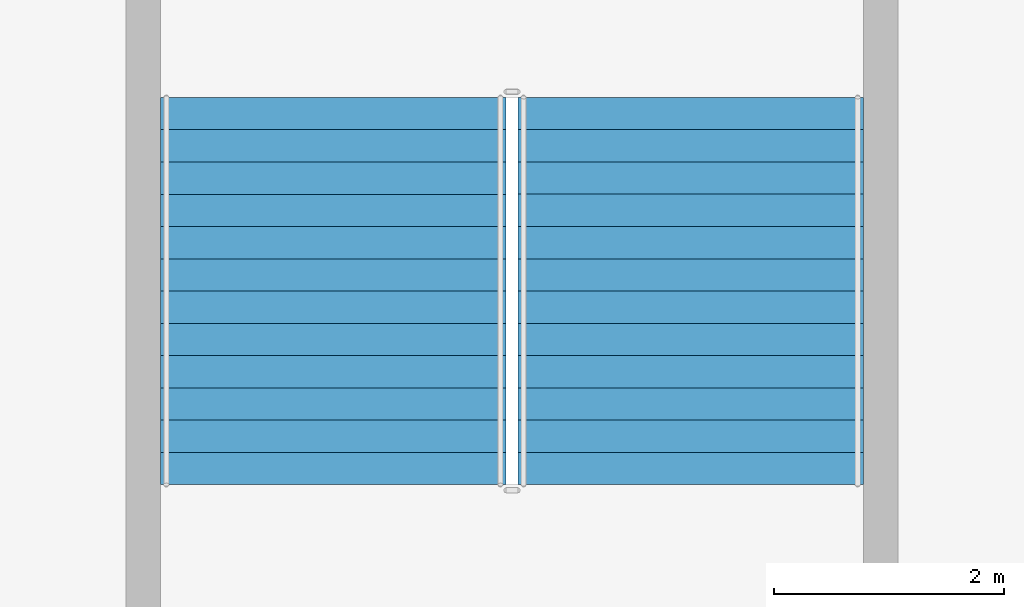
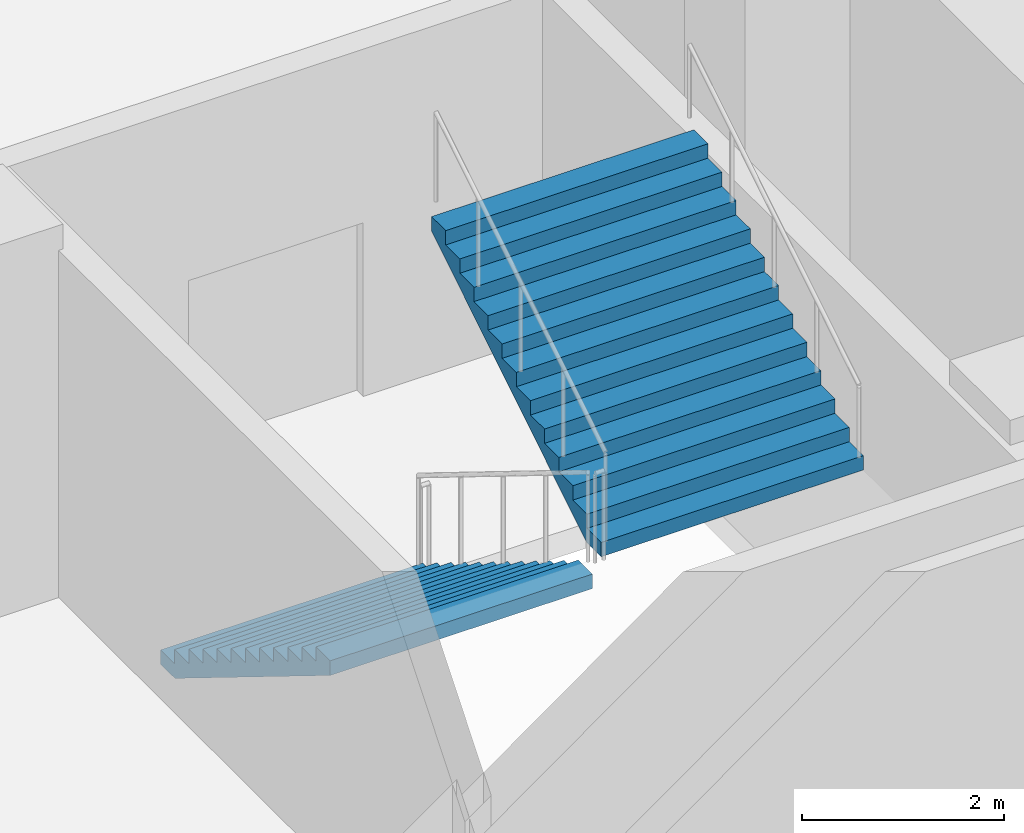
# One storey, part 11 of 14: 2 stair flights, 1 element without a shape of its own.
"""IFC4 building model written with IfcOpenShell, lengths in metres."""

import ifcopenshell
import ifcopenshell.guid

model = None  # the IFC model being written
_history = None  # IfcOwnerHistory: only IFC2X3 demands one
_inside = {}  # id of a spatial element -> (the spatial element, [elements in it])
_under = {}  # id of a project, library or spatial element -> (it, [spatial elements below it])
_declared = {}  # id of a project -> (the project, [libraries it declares])
_typed = {}  # id of a type object -> (the type object, [elements of that type])
_made_of = {}  # id of a material, layer set ... -> (it, [elements and type objects made of it])


def new_model(schema):
    """Start an empty IFC model of exactly this schema.

    Asked for "IFC4X3", IfcOpenShell would pick the latest addendum, in which some entities
    have other attributes; the version numbers below select the first issue.
    IFC2X3 requires an IfcOwnerHistory on every rooted entity: one is made here for all.
    """
    global model, _history
    if schema == "IFC4X3":
        model = ifcopenshell.file(schema_version=(4, 3, 0, 0))
    else:
        model = ifcopenshell.file(schema=schema)
    _inside.clear()
    _under.clear()
    _declared.clear()
    _typed.clear()
    _made_of.clear()
    _history = None
    if model.schema == "IFC2X3":
        org = make("IfcOrganization", Name="unknown")
        user = make(
            "IfcPersonAndOrganization",
            ThePerson=make("IfcPerson", FamilyName="unknown"),
            TheOrganization=org,
        )
        app = make(
            "IfcApplication",
            ApplicationDeveloper=org,
            Version="unknown",
            ApplicationFullName="unknown",
            ApplicationIdentifier="unknown",
        )
        _history = make(
            "IfcOwnerHistory",
            OwningUser=user,
            OwningApplication=app,
            ChangeAction="ADDED",
            CreationDate=0,
        )
    return model


def make(cls, **values):
    """One entity of the class cls with the attributes given. An attribute that is None is left unset."""
    return model.create_entity(
        cls, **{name: value for name, value in values.items() if value is not None}
    )


def rooted(cls, **values):
    """An entity with a GlobalId (a new one), such as an element, a storey or a relation."""
    return make(cls, GlobalId=ifcopenshell.guid.new(), OwnerHistory=_history, **values)


def si_unit(unit_type, name, prefix=None):
    """IfcSIUnit, for example si_unit("LENGTHUNIT", "METRE", prefix="MILLI")."""
    return make("IfcSIUnit", UnitType=unit_type, Prefix=prefix, Name=name)


def assignment(units):
    """IfcUnitAssignment: the units of a project."""
    return None if units is None else make("IfcUnitAssignment", Units=units)


def point(xyz):
    """IfcCartesianPoint."""
    return None if xyz is None else make("IfcCartesianPoint", Coordinates=xyz)


def direction(xyz):
    """IfcDirection."""
    return None if xyz is None else make("IfcDirection", DirectionRatios=xyz)


def frame(location, z_axis=None, x_axis=None):
    """IfcAxis2Placement3D, a coordinate frame: its origin and axes. An axis left out is left unset."""
    return make(
        "IfcAxis2Placement3D",
        Location=point(location),
        Axis=direction(z_axis),
        RefDirection=direction(x_axis),
    )


def origin():
    """The frame at (0, 0, 0) with its axes left unset."""
    return frame((0.0, 0.0, 0.0))


def place(relative_to, where):
    """IfcLocalPlacement: puts the frame where relative to a parent placement (None: the world)."""
    return make(
        "IfcLocalPlacement", PlacementRelTo=relative_to, RelativePlacement=where
    )


def context(
    kind, dimensions, precision=None, world=None, true_north=None, identifier=None
):
    """IfcGeometricRepresentationContext, for example the 3D "Model" context."""
    return make(
        "IfcGeometricRepresentationContext",
        ContextIdentifier=identifier,
        ContextType=kind,
        CoordinateSpaceDimension=dimensions,
        Precision=precision,
        WorldCoordinateSystem=world,
        TrueNorth=true_north,
    )


def subcontext(parent, identifier, kind, view, scale=None):
    """IfcGeometricRepresentationSubContext, for example "Body" below "Model"."""
    return make(
        "IfcGeometricRepresentationSubContext",
        ContextIdentifier=identifier,
        ContextType=kind,
        ParentContext=parent,
        TargetScale=scale,
        TargetView=view,
    )


def project(units=None, contexts=None):
    """IfcProject with its units and contexts."""
    return rooted(
        "IfcProject",
        Name="project",
        RepresentationContexts=contexts,
        UnitsInContext=assignment(units),
    )


def spatial(cls, under=None, at=None, **own):
    """A site, building, storey or space (cls), placed at a placement, below another one or the project."""
    s = rooted(cls, ObjectPlacement=at, **own)
    if under is not None:
        _under.setdefault(under.id(), (under, []))[1].append(s)
    return s


def point_list(points):
    """IfcCartesianPointList2D or 3D."""
    cls = (
        "IfcCartesianPointList2D" if len(points[0]) == 2 else "IfcCartesianPointList3D"
    )
    return make(cls, CoordList=points)


def triangles(points, corners, closed=None, point_numbers=None):
    """IfcTriangulatedFaceSet: each triangle names its three corners, points numbered from 1."""
    return make(
        "IfcTriangulatedFaceSet",
        Coordinates=point_list(points),
        Closed=closed,
        CoordIndex=corners,
        PnIndex=point_numbers,
    )


def shape(context_of_items, identifier, shape_type, items):
    """IfcShapeRepresentation: the items that make up one representation, for example the "Body"."""
    return make(
        "IfcShapeRepresentation",
        ContextOfItems=context_of_items,
        RepresentationIdentifier=identifier,
        RepresentationType=shape_type,
        Items=items,
    )


def source(mapping_origin, context_of_items, identifier, shape_type, items):
    """IfcRepresentationMap: a shape defined once, which mapped items show again and again."""
    return make(
        "IfcRepresentationMap",
        MappingOrigin=mapping_origin,
        MappedRepresentation=shape(context_of_items, identifier, shape_type, items),
    )


def transform(
    local_origin,
    x_axis=None,
    y_axis=None,
    z_axis=None,
    scale=None,
    scale2=None,
    scale3=None,
    uniform=True,
):
    """IfcCartesianTransformationOperator3D, or its non-uniform kind. x_axis, y_axis, z_axis: its Axis1, 2, 3."""
    if uniform:
        return make(
            "IfcCartesianTransformationOperator3D",
            Axis1=direction(x_axis),
            Axis2=direction(y_axis),
            LocalOrigin=point(local_origin),
            Scale=scale,
            Axis3=direction(z_axis),
        )
    return make(
        "IfcCartesianTransformationOperator3DnonUniform",
        Axis1=direction(x_axis),
        Axis2=direction(y_axis),
        LocalOrigin=point(local_origin),
        Scale=scale,
        Axis3=direction(z_axis),
        Scale2=scale2,
        Scale3=scale3,
    )


def mapped(mapping_source, mapping_target):
    """IfcMappedItem: shows the shape of a source again, moved by a transform."""
    return make(
        "IfcMappedItem", MappingSource=mapping_source, MappingTarget=mapping_target
    )


def material(Name=None, Category=None):
    """IfcMaterial."""
    return make("IfcMaterial", Name=Name, Category=Category)


def made_of(thing, what):
    """Note that an element or type object is made of a material, layer set ...; save() writes the relation."""
    if what is not None:
        _made_of.setdefault(what.id(), (what, []))[1].append(thing)
    return thing


def type_object(cls, material=None, **own):
    """A type object (cls), such as IfcWallType, which elements share."""
    return made_of(rooted(cls, **own), material)


def element(
    cls,
    number,
    at=None,
    inside=None,
    cuts=None,
    type_object=None,
    material=None,
    context=None,
    identifier="Body",
    shape_type=None,
    held_by="IfcProductDefinitionShape",
    body=None,
    shapes=None,
    **own,
):
    """One element of the class cls, such as IfcWall. Its Tag is "e" and its number.

    at: its placement. inside: the storey or other place that contains it. cuts: it is an
    opening in that element (IfcRelVoidsElement). A single representation is given by context,
    identifier, shape_type and body (its items); several are given by shapes. held_by: the class
    of the entity that holds the representations. save() writes the other relations.
    """
    e = rooted(cls, Tag="e%d" % number, ObjectPlacement=at, **own)
    if body is not None:
        shapes = [shape(context, identifier, shape_type, body)]
    if shapes is not None:
        e.Representation = make(held_by, Representations=shapes)
    if inside is not None:
        _inside.setdefault(inside.id(), (inside, []))[1].append(e)
    if cuts is not None:
        rooted(
            "IfcRelVoidsElement", RelatingBuildingElement=cuts, RelatedOpeningElement=e
        )
    if type_object is not None:
        _typed.setdefault(type_object.id(), (type_object, []))[1].append(e)
    return made_of(e, material)


def aggregate(whole, parts):
    """IfcRelAggregates: a whole, such as a stair, and the parts it consists of."""
    return rooted("IfcRelAggregates", RelatingObject=whole, RelatedObjects=parts)


def save(model, path):
    """Write the relations noted so far, then the file.

    IfcRelAggregates (storeys below a building ...), IfcRelContainedInSpatialStructure (elements
    in a storey), IfcRelDefinesByType, IfcRelAssociatesMaterial and IfcRelDeclares: one each for
    every whole, place, type object, material and project.
    """
    for whole, parts in _under.values():
        aggregate(whole, parts)
    for where, things in _inside.values():
        rooted(
            "IfcRelContainedInSpatialStructure",
            RelatedElements=things,
            RelatingStructure=where,
        )
    for kind, things in _typed.values():
        rooted("IfcRelDefinesByType", RelatedObjects=things, RelatingType=kind)
    for what, things in _made_of.values():
        rooted("IfcRelAssociatesMaterial", RelatedObjects=things, RelatingMaterial=what)
    for by, libraries in _declared.values():
        rooted("IfcRelDeclares", RelatingContext=by, RelatedDefinitions=libraries)
    model.write(path)


model = new_model("IFC4")

# Units and contexts
model_context = context("Model", 3, precision=1e-05, world=origin(), true_north=direction((0.0, 1.0)))
body_context = subcontext(model_context, "Body", "Model", "MODEL_VIEW")
ifc_project = project(units=[si_unit("LENGTHUNIT", "METRE"), si_unit("AREAUNIT", "SQUARE_METRE"), si_unit("VOLUMEUNIT", "CUBIC_METRE"), si_unit("PLANEANGLEUNIT", "RADIAN"), si_unit("MASSUNIT", "GRAM", prefix="KILO")], contexts=[model_context])

# Site, building, storey
site_placement = place(None, origin())
site = spatial("IfcSite", under=ifc_project, at=site_placement, CompositionType="ELEMENT")
building_placement = place(site_placement, origin())
building = spatial("IfcBuilding", under=site, at=building_placement, Name="Ogive Portal Towers", CompositionType="ELEMENT")
storey_placement = place(building_placement, frame((0.0, 0.0, -4.5)))
storey = spatial("IfcBuildingStorey", under=building, at=storey_placement, Name="B1", CompositionType="ELEMENT", Elevation=-4.5)

# Stair, stair flights
ifc_material = material(Name="Concrete C40/50", Category="concrete")
stair_type = type_object("IfcStairType", Name="INT-STAIR", PredefinedType="HALF_TURN_STAIR", material=ifc_material)
stair_placement = place(storey_placement, origin())
stair = element("IfcStair", 1, at=stair_placement, inside=storey, type_object=stair_type, Name="B1 Exit Stair ST-S2", PredefinedType="HALF_TURN_STAIR")
stair_flight_type = type_object("IfcStairFlightType", Name="INT-FLIGHT", PredefinedType="STRAIGHT", material=ifc_material)
shared_shape = source(origin(), body_context, "Body", "Tessellation", [
    triangles([(0.0, -1.5, 0.0), (0.0, -0.8681640625, 0.0), (0.0, -0.4443359375, 0.0), (0.0, -0.1875, 0.0), (0.0, -0.0556640625, 0.0), (0.0, -0.0068359375, 0.0), (0.0, 0.0, 0.0), (0.0, 0.0068359375, 0.0), (0.0, 0.0556640625, 0.0), (0.0, 0.1875, 0.0), (0.0, 0.4443359375, 0.0), (0.0, 0.8681640625, 0.0), (0.0, 1.5, 0.0), (0.0, -1.5, 0.173095703125), (0.0, -0.8681640625, 0.173095703125), (0.0, -0.4443359375, 0.173095703125), (0.0, -0.1875, 0.173095703125), (0.0, -0.0556640625, 0.173095703125), (0.0, -0.0068359375, 0.173095703125), (0.0, 0.0, 0.173095703125), (0.0, 0.0068359375, 0.173095703125), (0.0, 0.0556640625, 0.173095703125), (0.0, 0.1875, 0.173095703125), (0.0, 0.4443359375, 0.173095703125), (0.0, 0.8681640625, 0.173095703125), (0.0, 1.5, 0.173095703125), (0.280029296875, -1.5, 0.173095703125), (0.280029296875, -0.8681640625, 0.173095703125), (0.280029296875, -0.4443359375, 0.173095703125), (0.280029296875, -0.1875, 0.173095703125), (0.280029296875, -0.0556640625, 0.173095703125), (0.280029296875, -0.0068359375, 0.173095703125), (0.280029296875, 0.0, 0.173095703125), (0.280029296875, 0.0068359375, 0.173095703125), (0.280029296875, 0.0556640625, 0.173095703125), (0.280029296875, 0.1875, 0.173095703125), (0.280029296875, 0.4443359375, 0.173095703125), (0.280029296875, 0.8681640625, 0.173095703125), (0.280029296875, 1.5, 0.173095703125), (0.280029296875, -1.5, 0.34619140625), (0.280029296875, -0.8681640625, 0.34619140625), (0.280029296875, -0.4443359375, 0.34619140625), (0.280029296875, -0.1875, 0.34619140625), (0.280029296875, -0.0556640625, 0.34619140625), (0.280029296875, -0.0068359375, 0.34619140625), (0.280029296875, 0.0, 0.34619140625), (0.280029296875, 0.0068359375, 0.34619140625), (0.280029296875, 0.0556640625, 0.34619140625), (0.280029296875, 0.1875, 0.34619140625), (0.280029296875, 0.4443359375, 0.34619140625), (0.280029296875, 0.8681640625, 0.34619140625), (0.280029296875, 1.5, 0.34619140625), (0.56005859375, -1.5, 0.34619140625), (0.56005859375, -0.8681640625, 0.34619140625), (0.56005859375, -0.4443359375, 0.34619140625), (0.56005859375, -0.1875, 0.34619140625), (0.56005859375, -0.0556640625, 0.34619140625), (0.56005859375, -0.0068359375, 0.34619140625), (0.56005859375, 0.0, 0.34619140625), (0.56005859375, 0.0068359375, 0.34619140625), (0.56005859375, 0.0556640625, 0.34619140625), (0.56005859375, 0.1875, 0.34619140625), (0.56005859375, 0.4443359375, 0.34619140625), (0.56005859375, 0.8681640625, 0.34619140625), (0.56005859375, 1.5, 0.34619140625), (0.56005859375, -1.5, 0.519287109375), (0.56005859375, -0.8681640625, 0.519287109375), (0.56005859375, -0.4443359375, 0.519287109375), (0.56005859375, -0.1875, 0.519287109375), (0.56005859375, -0.0556640625, 0.519287109375), (0.56005859375, -0.0068359375, 0.519287109375), (0.56005859375, 0.0, 0.519287109375), (0.56005859375, 0.0068359375, 0.519287109375), (0.56005859375, 0.0556640625, 0.519287109375), (0.56005859375, 0.1875, 0.519287109375), (0.56005859375, 0.4443359375, 0.519287109375), (0.56005859375, 0.8681640625, 0.519287109375), (0.56005859375, 1.5, 0.519287109375), (0.840087890625, -1.5, 0.519287109375), (0.840087890625, -0.8681640625, 0.519287109375), (0.840087890625, -0.4443359375, 0.519287109375), (0.840087890625, -0.1875, 0.519287109375), (0.840087890625, -0.0556640625, 0.519287109375), (0.840087890625, -0.0068359375, 0.519287109375), (0.840087890625, 0.0, 0.519287109375), (0.840087890625, 0.0068359375, 0.519287109375), (0.840087890625, 0.0556640625, 0.519287109375), (0.840087890625, 0.1875, 0.519287109375), (0.840087890625, 0.4443359375, 0.519287109375), (0.840087890625, 0.8681640625, 0.519287109375), (0.840087890625, 1.5, 0.519287109375), (0.840087890625, -1.5, 0.6923828125), (0.840087890625, -0.8681640625, 0.6923828125), (0.840087890625, -0.4443359375, 0.6923828125), (0.840087890625, -0.1875, 0.6923828125), (0.840087890625, -0.0556640625, 0.6923828125), (0.840087890625, -0.0068359375, 0.6923828125), (0.840087890625, 0.0, 0.6923828125), (0.840087890625, 0.0068359375, 0.6923828125), (0.840087890625, 0.0556640625, 0.6923828125), (0.840087890625, 0.1875, 0.6923828125), (0.840087890625, 0.4443359375, 0.6923828125), (0.840087890625, 0.8681640625, 0.6923828125), (0.840087890625, 1.5, 0.6923828125), (1.1201171875, -1.5, 0.6923828125), (1.1201171875, -0.8681640625, 0.6923828125), (1.1201171875, -0.4443359375, 0.6923828125), (1.1201171875, -0.1875, 0.6923828125), (1.1201171875, -0.0556640625, 0.6923828125), (1.1201171875, -0.0068359375, 0.6923828125), (1.1201171875, 0.0, 0.6923828125), (1.1201171875, 0.0068359375, 0.6923828125), (1.1201171875, 0.0556640625, 0.6923828125), (1.1201171875, 0.1875, 0.6923828125), (1.1201171875, 0.4443359375, 0.6923828125), (1.1201171875, 0.8681640625, 0.6923828125), (1.1201171875, 1.5, 0.6923828125), (1.1201171875, -1.5, 0.865478515625), (1.1201171875, -0.8681640625, 0.865478515625), (1.1201171875, -0.4443359375, 0.865478515625), (1.1201171875, -0.1875, 0.865478515625), (1.1201171875, -0.0556640625, 0.865478515625), (1.1201171875, -0.0068359375, 0.865478515625), (1.1201171875, 0.0, 0.865478515625), (1.1201171875, 0.0068359375, 0.865478515625), (1.1201171875, 0.0556640625, 0.865478515625), (1.1201171875, 0.1875, 0.865478515625), (1.1201171875, 0.4443359375, 0.865478515625), (1.1201171875, 0.8681640625, 0.865478515625), (1.1201171875, 1.5, 0.865478515625), (1.39990234375, -1.5, 0.865478515625), (1.39990234375, -0.8681640625, 0.865478515625), (1.39990234375, -0.4443359375, 0.865478515625), (1.39990234375, -0.1875, 0.865478515625), (1.39990234375, -0.0556640625, 0.865478515625), (1.39990234375, -0.0068359375, 0.865478515625), (1.39990234375, 0.0, 0.865478515625), (1.39990234375, 0.0068359375, 0.865478515625), (1.39990234375, 0.0556640625, 0.865478515625), (1.39990234375, 0.1875, 0.865478515625), (1.39990234375, 0.4443359375, 0.865478515625), (1.39990234375, 0.8681640625, 0.865478515625), (1.39990234375, 1.5, 0.865478515625), (1.39990234375, -1.5, 1.03857421875), (1.39990234375, -0.8681640625, 1.03857421875), (1.39990234375, -0.4443359375, 1.03857421875), (1.39990234375, -0.1875, 1.03857421875), (1.39990234375, -0.0556640625, 1.03857421875), (1.39990234375, -0.0068359375, 1.03857421875), (1.39990234375, 0.0, 1.03857421875), (1.39990234375, 0.0068359375, 1.03857421875), (1.39990234375, 0.0556640625, 1.03857421875), (1.39990234375, 0.1875, 1.03857421875), (1.39990234375, 0.4443359375, 1.03857421875), (1.39990234375, 0.8681640625, 1.03857421875), (1.39990234375, 1.5, 1.03857421875), (1.679931640625, -1.5, 1.03857421875), (1.679931640625, -0.8681640625, 1.03857421875), (1.679931640625, -0.4443359375, 1.03857421875), (1.679931640625, -0.1875, 1.03857421875), (1.679931640625, -0.0556640625, 1.03857421875), (1.679931640625, -0.0068359375, 1.03857421875), (1.679931640625, 0.0, 1.03857421875), (1.679931640625, 0.0068359375, 1.03857421875), (1.679931640625, 0.0556640625, 1.03857421875), (1.679931640625, 0.1875, 1.03857421875), (1.679931640625, 0.4443359375, 1.03857421875), (1.679931640625, 0.8681640625, 1.03857421875), (1.679931640625, 1.5, 1.03857421875), (1.679931640625, -1.5, 1.21142578125), (1.679931640625, -0.8681640625, 1.21142578125), (1.679931640625, -0.4443359375, 1.21142578125), (1.679931640625, -0.1875, 1.21142578125), (1.679931640625, -0.0556640625, 1.21142578125), (1.679931640625, -0.0068359375, 1.21142578125), (1.679931640625, 0.0, 1.21142578125), (1.679931640625, 0.0068359375, 1.21142578125), (1.679931640625, 0.0556640625, 1.21142578125), (1.679931640625, 0.1875, 1.21142578125), (1.679931640625, 0.4443359375, 1.21142578125), (1.679931640625, 0.8681640625, 1.21142578125), (1.679931640625, 1.5, 1.21142578125), (1.9599609375, -1.5, 1.21142578125), (1.9599609375, -0.8681640625, 1.21142578125), (1.9599609375, -0.4443359375, 1.21142578125), (1.9599609375, -0.1875, 1.21142578125), (1.9599609375, -0.0556640625, 1.21142578125), (1.9599609375, -0.0068359375, 1.21142578125), (1.9599609375, 0.0, 1.21142578125), (1.9599609375, 0.0068359375, 1.21142578125), (1.9599609375, 0.0556640625, 1.21142578125), (1.9599609375, 0.1875, 1.21142578125), (1.9599609375, 0.4443359375, 1.21142578125), (1.9599609375, 0.8681640625, 1.21142578125), (1.9599609375, 1.5, 1.21142578125), (1.9599609375, -1.5, 1.384521484375), (1.9599609375, -0.8681640625, 1.384521484375), (1.9599609375, -0.4443359375, 1.384521484375), (1.9599609375, -0.1875, 1.384521484375), (1.9599609375, -0.0556640625, 1.384521484375), (1.9599609375, -0.0068359375, 1.384521484375), (1.9599609375, 0.0, 1.384521484375), (1.9599609375, 0.0068359375, 1.384521484375), (1.9599609375, 0.0556640625, 1.384521484375), (1.9599609375, 0.1875, 1.384521484375), (1.9599609375, 0.4443359375, 1.384521484375), (1.9599609375, 0.8681640625, 1.384521484375), (1.9599609375, 1.5, 1.384521484375), (2.239990234375, -1.5, 1.384521484375), (2.239990234375, -0.8681640625, 1.384521484375), (2.239990234375, -0.4443359375, 1.384521484375), (2.239990234375, -0.1875, 1.384521484375), (2.239990234375, -0.0556640625, 1.384521484375), (2.239990234375, -0.0068359375, 1.384521484375), (2.239990234375, 0.0, 1.384521484375), (2.239990234375, 0.0068359375, 1.384521484375), (2.239990234375, 0.0556640625, 1.384521484375), (2.239990234375, 0.1875, 1.384521484375), (2.239990234375, 0.4443359375, 1.384521484375), (2.239990234375, 0.8681640625, 1.384521484375), (2.239990234375, 1.5, 1.384521484375), (2.239990234375, -1.5, 1.5576171875), (2.239990234375, -0.8681640625, 1.5576171875), (2.239990234375, -0.4443359375, 1.5576171875), (2.239990234375, -0.1875, 1.5576171875), (2.239990234375, -0.0556640625, 1.5576171875), (2.239990234375, -0.0068359375, 1.5576171875), (2.239990234375, 0.0, 1.5576171875), (2.239990234375, 0.0068359375, 1.5576171875), (2.239990234375, 0.0556640625, 1.5576171875), (2.239990234375, 0.1875, 1.5576171875), (2.239990234375, 0.4443359375, 1.5576171875), (2.239990234375, 0.8681640625, 1.5576171875), (2.239990234375, 1.5, 1.5576171875), (2.52001953125, -1.5, 1.5576171875), (2.52001953125, -0.8681640625, 1.5576171875), (2.52001953125, -0.4443359375, 1.5576171875), (2.52001953125, -0.1875, 1.5576171875), (2.52001953125, -0.0556640625, 1.5576171875), (2.52001953125, -0.0068359375, 1.5576171875), (2.52001953125, 0.0, 1.5576171875), (2.52001953125, 0.0068359375, 1.5576171875), (2.52001953125, 0.0556640625, 1.5576171875), (2.52001953125, 0.1875, 1.5576171875), (2.52001953125, 0.4443359375, 1.5576171875), (2.52001953125, 0.8681640625, 1.5576171875), (2.52001953125, 1.5, 1.5576171875), (2.52001953125, -1.5, 1.730712890625), (2.52001953125, -0.8681640625, 1.730712890625), (2.52001953125, -0.4443359375, 1.730712890625), (2.52001953125, -0.1875, 1.730712890625), (2.52001953125, -0.0556640625, 1.730712890625), (2.52001953125, -0.0068359375, 1.730712890625), (2.52001953125, 0.0, 1.730712890625), (2.52001953125, 0.0068359375, 1.730712890625), (2.52001953125, 0.0556640625, 1.730712890625), (2.52001953125, 0.1875, 1.730712890625), (2.52001953125, 0.4443359375, 1.730712890625), (2.52001953125, 0.8681640625, 1.730712890625), (2.52001953125, 1.5, 1.730712890625), (2.800048828125, -1.5, 1.730712890625), (2.800048828125, -0.8681640625, 1.730712890625), (2.800048828125, -0.4443359375, 1.730712890625), (2.800048828125, -0.1875, 1.730712890625), (2.800048828125, -0.0556640625, 1.730712890625), (2.800048828125, -0.0068359375, 1.730712890625), (2.800048828125, 0.0, 1.730712890625), (2.800048828125, 0.0068359375, 1.730712890625), (2.800048828125, 0.0556640625, 1.730712890625), (2.800048828125, 0.1875, 1.730712890625), (2.800048828125, 0.4443359375, 1.730712890625), (2.800048828125, 0.8681640625, 1.730712890625), (2.800048828125, 1.5, 1.730712890625), (2.800048828125, -1.5, 1.90380859375), (2.800048828125, -0.8681640625, 1.90380859375), (2.800048828125, -0.4443359375, 1.90380859375), (2.800048828125, -0.1875, 1.90380859375), (2.800048828125, -0.0556640625, 1.90380859375), (2.800048828125, -0.0068359375, 1.90380859375), (2.800048828125, 0.0, 1.90380859375), (2.800048828125, 0.0068359375, 1.90380859375), (2.800048828125, 0.0556640625, 1.90380859375), (2.800048828125, 0.1875, 1.90380859375), (2.800048828125, 0.4443359375, 1.90380859375), (2.800048828125, 0.8681640625, 1.90380859375), (2.800048828125, 1.5, 1.90380859375), (3.080078125, -1.5, 1.90380859375), (3.080078125, -0.8681640625, 1.90380859375), (3.080078125, -0.4443359375, 1.90380859375), (3.080078125, -0.1875, 1.90380859375), (3.080078125, -0.0556640625, 1.90380859375), (3.080078125, -0.0068359375, 1.90380859375), (3.080078125, 0.0, 1.90380859375), (3.080078125, 0.0068359375, 1.90380859375), (3.080078125, 0.0556640625, 1.90380859375), (3.080078125, 0.1875, 1.90380859375), (3.080078125, 0.4443359375, 1.90380859375), (3.080078125, 0.8681640625, 1.90380859375), (3.080078125, 1.5, 1.90380859375), (3.080078125, -1.5, 2.076904296875), (3.080078125, -0.8681640625, 2.076904296875), (3.080078125, -0.4443359375, 2.076904296875), (3.080078125, -0.1875, 2.076904296875), (3.080078125, -0.0556640625, 2.076904296875), (3.080078125, -0.0068359375, 2.076904296875), (3.080078125, 0.0, 2.076904296875), (3.080078125, 0.0068359375, 2.076904296875), (3.080078125, 0.0556640625, 2.076904296875), (3.080078125, 0.1875, 2.076904296875), (3.080078125, 0.4443359375, 2.076904296875), (3.080078125, 0.8681640625, 2.076904296875), (3.080078125, 1.5, 2.076904296875), (3.360107421875, -1.5, 2.076904296875), (3.360107421875, -0.8681640625, 2.076904296875), (3.360107421875, -0.4443359375, 2.076904296875), (3.360107421875, -0.1875, 2.076904296875), (3.360107421875, -0.0556640625, 2.076904296875), (3.360107421875, -0.0068359375, 2.076904296875), (3.360107421875, 0.0, 2.076904296875), (3.360107421875, 0.0068359375, 2.076904296875), (3.360107421875, 0.0556640625, 2.076904296875), (3.360107421875, 0.1875, 2.076904296875), (3.360107421875, 0.4443359375, 2.076904296875), (3.360107421875, 0.8681640625, 2.076904296875), (3.360107421875, 1.5, 2.076904296875), (3.360107421875, -1.5, 1.900634765625), (3.360107421875, -0.8681640625, 1.900634765625), (3.360107421875, -0.4443359375, 1.900634765625), (3.360107421875, -0.1875, 1.900634765625), (3.360107421875, -0.0556640625, 1.900634765625), (3.360107421875, -0.0068359375, 1.900634765625), (3.360107421875, 0.0, 1.900634765625), (3.360107421875, 0.0068359375, 1.900634765625), (3.360107421875, 0.0556640625, 1.900634765625), (3.360107421875, 0.1875, 1.900634765625), (3.360107421875, 0.4443359375, 1.900634765625), (3.360107421875, 0.8681640625, 1.900634765625), (3.360107421875, 1.5, 1.900634765625), (0.28515625, -1.5, 0.0), (0.28515625, -0.8681640625, 0.0), (0.28515625, -0.4443359375, 0.0), (0.28515625, -0.1875, 0.0), (0.28515625, -0.0556640625, 0.0), (0.28515625, -0.0068359375, 0.0), (0.28515625, 0.0, 0.0), (0.28515625, 0.0068359375, 0.0), (0.28515625, 0.0556640625, 0.0), (0.28515625, 0.1875, 0.0), (0.28515625, 0.4443359375, 0.0), (0.28515625, 0.8681640625, 0.0), (0.28515625, 1.5, 0.0)], [[1, 14, 15], [1, 15, 2], [2, 15, 16], [2, 16, 3], [3, 16, 17], [3, 17, 4], [4, 17, 18], [4, 18, 5], [5, 18, 19], [5, 19, 6], [6, 19, 20], [6, 20, 7], [7, 20, 21], [7, 21, 8], [8, 21, 22], [8, 22, 9], [9, 22, 23], [9, 23, 10], [10, 23, 24], [10, 24, 11], [11, 24, 25], [11, 25, 12], [12, 25, 26], [12, 26, 13], [14, 27, 28], [14, 28, 15], [15, 28, 29], [15, 29, 16], [16, 29, 30], [16, 30, 17], [17, 30, 31], [17, 31, 18], [18, 31, 32], [18, 32, 19], [19, 32, 33], [19, 33, 20], [20, 33, 34], [20, 34, 21], [21, 34, 35], [21, 35, 22], [22, 35, 36], [22, 36, 23], [23, 36, 37], [23, 37, 24], [24, 37, 38], [24, 38, 25], [25, 38, 39], [25, 39, 26], [27, 40, 41], [27, 41, 28], [28, 41, 42], [28, 42, 29], [29, 42, 43], [29, 43, 30], [30, 43, 44], [30, 44, 31], [31, 44, 45], [31, 45, 32], [32, 45, 46], [32, 46, 33], [33, 46, 47], [33, 47, 34], [34, 47, 48], [34, 48, 35], [35, 48, 49], [35, 49, 36], [36, 49, 50], [36, 50, 37], [37, 50, 51], [37, 51, 38], [38, 51, 52], [38, 52, 39], [40, 53, 54], [40, 54, 41], [41, 54, 55], [41, 55, 42], [42, 55, 56], [42, 56, 43], [43, 56, 57], [43, 57, 44], [44, 57, 58], [44, 58, 45], [45, 58, 59], [45, 59, 46], [46, 59, 60], [46, 60, 47], [47, 60, 61], [47, 61, 48], [48, 61, 62], [48, 62, 49], [49, 62, 63], [49, 63, 50], [50, 63, 64], [50, 64, 51], [51, 64, 65], [51, 65, 52], [53, 66, 67], [53, 67, 54], [54, 67, 68], [54, 68, 55], [55, 68, 69], [55, 69, 56], [56, 69, 70], [56, 70, 57], [57, 70, 71], [57, 71, 58], [58, 71, 72], [58, 72, 59], [59, 72, 73], [59, 73, 60], [60, 73, 74], [60, 74, 61], [61, 74, 75], [61, 75, 62], [62, 75, 76], [62, 76, 63], [63, 76, 77], [63, 77, 64], [64, 77, 78], [64, 78, 65], [66, 79, 80], [66, 80, 67], [67, 80, 81], [67, 81, 68], [68, 81, 82], [68, 82, 69], [69, 82, 83], [69, 83, 70], [70, 83, 84], [70, 84, 71], [71, 84, 85], [71, 85, 72], [72, 85, 86], [72, 86, 73], [73, 86, 87], [73, 87, 74], [74, 87, 88], [74, 88, 75], [75, 88, 89], [75, 89, 76], [76, 89, 90], [76, 90, 77], [77, 90, 91], [77, 91, 78], [79, 92, 93], [79, 93, 80], [80, 93, 94], [80, 94, 81], [81, 94, 95], [81, 95, 82], [82, 95, 96], [82, 96, 83], [83, 96, 97], [83, 97, 84], [84, 97, 98], [84, 98, 85], [85, 98, 99], [85, 99, 86], [86, 99, 100], [86, 100, 87], [87, 100, 101], [87, 101, 88], [88, 101, 102], [88, 102, 89], [89, 102, 103], [89, 103, 90], [90, 103, 104], [90, 104, 91], [92, 105, 106], [92, 106, 93], [93, 106, 107], [93, 107, 94], [94, 107, 108], [94, 108, 95], [95, 108, 109], [95, 109, 96], [96, 109, 110], [96, 110, 97], [97, 110, 111], [97, 111, 98], [98, 111, 112], [98, 112, 99], [99, 112, 113], [99, 113, 100], [100, 113, 114], [100, 114, 101], [101, 114, 115], [101, 115, 102], [102, 115, 116], [102, 116, 103], [103, 116, 117], [103, 117, 104], [105, 118, 119], [105, 119, 106], [106, 119, 120], [106, 120, 107], [107, 120, 121], [107, 121, 108], [108, 121, 122], [108, 122, 109], [109, 122, 123], [109, 123, 110], [110, 123, 124], [110, 124, 111], [111, 124, 125], [111, 125, 112], [112, 125, 126], [112, 126, 113], [113, 126, 127], [113, 127, 114], [114, 127, 128], [114, 128, 115], [115, 128, 129], [115, 129, 116], [116, 129, 130], [116, 130, 117], [118, 131, 132], [118, 132, 119], [119, 132, 133], [119, 133, 120], [120, 133, 134], [120, 134, 121], [121, 134, 135], [121, 135, 122], [122, 135, 136], [122, 136, 123], [123, 136, 137], [123, 137, 124], [124, 137, 138], [124, 138, 125], [125, 138, 139], [125, 139, 126], [126, 139, 140], [126, 140, 127], [127, 140, 141], [127, 141, 128], [128, 141, 142], [128, 142, 129], [129, 142, 143], [129, 143, 130], [131, 144, 145], [131, 145, 132], [132, 145, 146], [132, 146, 133], [133, 146, 147], [133, 147, 134], [134, 147, 148], [134, 148, 135], [135, 148, 149], [135, 149, 136], [136, 149, 150], [136, 150, 137], [137, 150, 151], [137, 151, 138], [138, 151, 152], [138, 152, 139], [139, 152, 153], [139, 153, 140], [140, 153, 154], [140, 154, 141], [141, 154, 155], [141, 155, 142], [142, 155, 156], [142, 156, 143], [144, 157, 158], [144, 158, 145], [145, 158, 159], [145, 159, 146], [146, 159, 160], [146, 160, 147], [147, 160, 161], [147, 161, 148], [148, 161, 162], [148, 162, 149], [149, 162, 163], [149, 163, 150], [150, 163, 164], [150, 164, 151], [151, 164, 165], [151, 165, 152], [152, 165, 166], [152, 166, 153], [153, 166, 167], [153, 167, 154], [154, 167, 168], [154, 168, 155], [155, 168, 169], [155, 169, 156], [157, 170, 171], [157, 171, 158], [158, 171, 172], [158, 172, 159], [159, 172, 173], [159, 173, 160], [160, 173, 174], [160, 174, 161], [161, 174, 175], [161, 175, 162], [162, 175, 176], [162, 176, 163], [163, 176, 177], [163, 177, 164], [164, 177, 178], [164, 178, 165], [165, 178, 179], [165, 179, 166], [166, 179, 180], [166, 180, 167], [167, 180, 181], [167, 181, 168], [168, 181, 182], [168, 182, 169], [170, 183, 184], [170, 184, 171], [171, 184, 185], [171, 185, 172], [172, 185, 186], [172, 186, 173], [173, 186, 187], [173, 187, 174], [174, 187, 188], [174, 188, 175], [175, 188, 189], [175, 189, 176], [176, 189, 190], [176, 190, 177], [177, 190, 191], [177, 191, 178], [178, 191, 192], [178, 192, 179], [179, 192, 193], [179, 193, 180], [180, 193, 194], [180, 194, 181], [181, 194, 195], [181, 195, 182], [183, 196, 197], [183, 197, 184], [184, 197, 198], [184, 198, 185], [185, 198, 199], [185, 199, 186], [186, 199, 200], [186, 200, 187], [187, 200, 201], [187, 201, 188], [188, 201, 202], [188, 202, 189], [189, 202, 203], [189, 203, 190], [190, 203, 204], [190, 204, 191], [191, 204, 205], [191, 205, 192], [192, 205, 206], [192, 206, 193], [193, 206, 207], [193, 207, 194], [194, 207, 208], [194, 208, 195], [196, 209, 210], [196, 210, 197], [197, 210, 211], [197, 211, 198], [198, 211, 212], [198, 212, 199], [199, 212, 213], [199, 213, 200], [200, 213, 214], [200, 214, 201], [201, 214, 215], [201, 215, 202], [202, 215, 216], [202, 216, 203], [203, 216, 217], [203, 217, 204], [204, 217, 218], [204, 218, 205], [205, 218, 219], [205, 219, 206], [206, 219, 220], [206, 220, 207], [207, 220, 221], [207, 221, 208], [209, 222, 223], [209, 223, 210], [210, 223, 224], [210, 224, 211], [211, 224, 225], [211, 225, 212], [212, 225, 226], [212, 226, 213], [213, 226, 227], [213, 227, 214], [214, 227, 228], [214, 228, 215], [215, 228, 229], [215, 229, 216], [216, 229, 230], [216, 230, 217], [217, 230, 231], [217, 231, 218], [218, 231, 232], [218, 232, 219], [219, 232, 233], [219, 233, 220], [220, 233, 234], [220, 234, 221], [222, 235, 236], [222, 236, 223], [223, 236, 237], [223, 237, 224], [224, 237, 238], [224, 238, 225], [225, 238, 239], [225, 239, 226], [226, 239, 240], [226, 240, 227], [227, 240, 241], [227, 241, 228], [228, 241, 242], [228, 242, 229], [229, 242, 243], [229, 243, 230], [230, 243, 244], [230, 244, 231], [231, 244, 245], [231, 245, 232], [232, 245, 246], [232, 246, 233], [233, 246, 247], [233, 247, 234], [235, 248, 249], [235, 249, 236], [236, 249, 250], [236, 250, 237], [237, 250, 251], [237, 251, 238], [238, 251, 252], [238, 252, 239], [239, 252, 253], [239, 253, 240], [240, 253, 254], [240, 254, 241], [241, 254, 255], [241, 255, 242], [242, 255, 256], [242, 256, 243], [243, 256, 257], [243, 257, 244], [244, 257, 258], [244, 258, 245], [245, 258, 259], [245, 259, 246], [246, 259, 260], [246, 260, 247], [248, 261, 262], [248, 262, 249], [249, 262, 263], [249, 263, 250], [250, 263, 264], [250, 264, 251], [251, 264, 265], [251, 265, 252], [252, 265, 266], [252, 266, 253], [253, 266, 267], [253, 267, 254], [254, 267, 268], [254, 268, 255], [255, 268, 269], [255, 269, 256], [256, 269, 270], [256, 270, 257], [257, 270, 271], [257, 271, 258], [258, 271, 272], [258, 272, 259], [259, 272, 273], [259, 273, 260], [261, 274, 275], [261, 275, 262], [262, 275, 276], [262, 276, 263], [263, 276, 277], [263, 277, 264], [264, 277, 278], [264, 278, 265], [265, 278, 279], [265, 279, 266], [266, 279, 280], [266, 280, 267], [267, 280, 281], [267, 281, 268], [268, 281, 282], [268, 282, 269], [269, 282, 283], [269, 283, 270], [270, 283, 284], [270, 284, 271], [271, 284, 285], [271, 285, 272], [272, 285, 286], [272, 286, 273], [274, 287, 288], [274, 288, 275], [275, 288, 289], [275, 289, 276], [276, 289, 290], [276, 290, 277], [277, 290, 291], [277, 291, 278], [278, 291, 292], [278, 292, 279], [279, 292, 293], [279, 293, 280], [280, 293, 294], [280, 294, 281], [281, 294, 295], [281, 295, 282], [282, 295, 296], [282, 296, 283], [283, 296, 297], [283, 297, 284], [284, 297, 298], [284, 298, 285], [285, 298, 299], [285, 299, 286], [287, 300, 301], [287, 301, 288], [288, 301, 302], [288, 302, 289], [289, 302, 303], [289, 303, 290], [290, 303, 304], [290, 304, 291], [291, 304, 305], [291, 305, 292], [292, 305, 306], [292, 306, 293], [293, 306, 307], [293, 307, 294], [294, 307, 308], [294, 308, 295], [295, 308, 309], [295, 309, 296], [296, 309, 310], [296, 310, 297], [297, 310, 311], [297, 311, 298], [298, 311, 312], [298, 312, 299], [300, 313, 314], [300, 314, 301], [301, 314, 315], [301, 315, 302], [302, 315, 316], [302, 316, 303], [303, 316, 317], [303, 317, 304], [304, 317, 318], [304, 318, 305], [305, 318, 319], [305, 319, 306], [306, 319, 320], [306, 320, 307], [307, 320, 321], [307, 321, 308], [308, 321, 322], [308, 322, 309], [309, 322, 323], [309, 323, 310], [310, 323, 324], [310, 324, 311], [311, 324, 325], [311, 325, 312], [313, 326, 327], [313, 327, 314], [314, 327, 328], [314, 328, 315], [315, 328, 329], [315, 329, 316], [316, 329, 330], [316, 330, 317], [317, 330, 331], [317, 331, 318], [318, 331, 332], [318, 332, 319], [319, 332, 333], [319, 333, 320], [320, 333, 334], [320, 334, 321], [321, 334, 335], [321, 335, 322], [322, 335, 336], [322, 336, 323], [323, 336, 337], [323, 337, 324], [324, 337, 338], [324, 338, 325], [326, 339, 340], [326, 340, 327], [327, 340, 341], [327, 341, 328], [328, 341, 342], [328, 342, 329], [329, 342, 343], [329, 343, 330], [330, 343, 344], [330, 344, 331], [331, 344, 345], [331, 345, 332], [332, 345, 346], [332, 346, 333], [333, 346, 347], [333, 347, 334], [334, 347, 348], [334, 348, 335], [335, 348, 349], [335, 349, 336], [336, 349, 350], [336, 350, 337], [337, 350, 351], [337, 351, 338], [339, 1, 2], [339, 2, 340], [340, 2, 3], [340, 3, 341], [341, 3, 4], [341, 4, 342], [342, 4, 5], [342, 5, 343], [343, 5, 6], [343, 6, 344], [344, 6, 7], [344, 7, 345], [345, 7, 8], [345, 8, 346], [346, 8, 9], [346, 9, 347], [347, 9, 10], [347, 10, 348], [348, 10, 11], [348, 11, 349], [349, 11, 12], [349, 12, 350], [350, 12, 13], [350, 13, 351], [1, 339, 326], [13, 338, 351], [326, 313, 300], [338, 312, 325], [326, 300, 287], [338, 299, 312], [326, 287, 274], [338, 286, 299], [326, 274, 261], [338, 273, 286], [261, 248, 235], [273, 247, 260], [326, 261, 235], [338, 247, 273], [235, 222, 209], [247, 221, 234], [326, 235, 209], [338, 221, 247], [209, 196, 183], [221, 195, 208], [326, 209, 183], [338, 195, 221], [1, 326, 183], [13, 195, 338], [183, 170, 157], [195, 169, 182], [157, 144, 131], [169, 143, 156], [183, 157, 131], [195, 143, 169], [131, 118, 105], [143, 117, 130], [183, 131, 105], [195, 117, 143], [105, 92, 79], [117, 91, 104], [183, 105, 79], [195, 91, 117], [79, 66, 53], [91, 65, 78], [183, 79, 53], [195, 65, 91], [53, 40, 27], [65, 39, 52], [183, 53, 27], [195, 39, 65], [1, 183, 27], [13, 39, 195], [27, 14, 1], [39, 13, 26]], closed=True),
])
stair_flight_1_placement = place(storey_placement, frame((96.85009765625, 19.39990234375, 0.0), z_axis=(0.0, 0.0, 1.0), x_axis=(0.0, -1.0, 0.0)))
stair_flight_1 = element("IfcStairFlight", 2, at=stair_flight_1_placement, type_object=stair_flight_type, Name="ST-S2 flight 1", NumberOfRisers=13, NumberOfTreads=12, PredefinedType="STRAIGHT", RiserHeight=0.173076923, TreadLength=0.28, context=body_context, shape_type="MappedRepresentation", body=[
    mapped(shared_shape, transform((0.0, 0.0, 0.0), scale=1.0)),
])
stair_flight_2_placement = place(storey_placement, frame((99.949951171875, 16.0400390625, 2.25), z_axis=(0.0, 0.0, 1.0), x_axis=(0.0, 1.0, 0.0)))
stair_flight_2 = element("IfcStairFlight", 3, at=stair_flight_2_placement, type_object=stair_flight_type, Name="ST-S2 flight 2", NumberOfRisers=13, NumberOfTreads=12, PredefinedType="STRAIGHT", RiserHeight=0.173076923, TreadLength=0.28, context=body_context, shape_type="MappedRepresentation", body=[
    mapped(shared_shape, transform((0.0, 0.0, 0.0), scale=1.0)),
])
aggregate(stair, [stair_flight_1, stair_flight_2])

save(model, "model.ifc")
